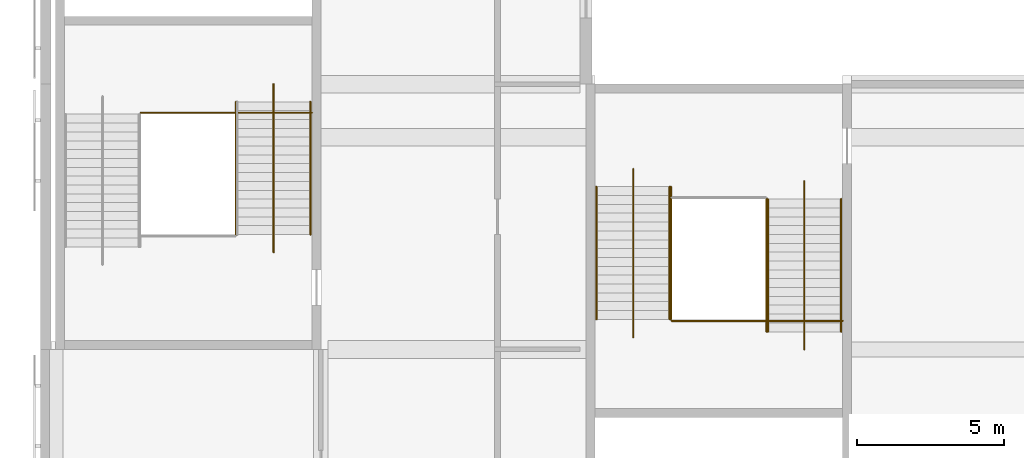
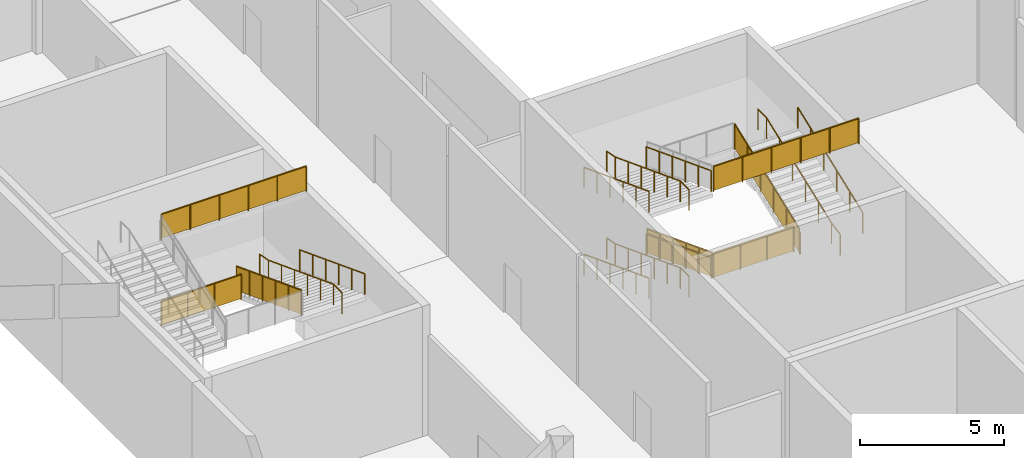
# One storey, part 64 of 84: 18 railings.
"""IFC4 building model written with IfcOpenShell, lengths in metres."""

from ifc_helpers import new_model, si_unit, direction, frame, origin, origin_2d, place, context, subcontext, project, spatial, polyline, circle, outline, extrude, material, type_object, element, save


model = new_model("IFC4")

# Units and contexts
model_context = context("Model", 3, precision=1e-05, world=origin(), true_north=direction((0.0, 1.0)))
body_context = subcontext(model_context, "Body", "Model", "MODEL_VIEW")
ifc_project = project(units=[si_unit("LENGTHUNIT", "METRE"), si_unit("AREAUNIT", "SQUARE_METRE"), si_unit("VOLUMEUNIT", "CUBIC_METRE"), si_unit("PLANEANGLEUNIT", "RADIAN"), si_unit("MASSUNIT", "GRAM", prefix="KILO")], contexts=[model_context])

# Site, building, storey
site_placement = place(None, origin())
site = spatial("IfcSite", under=ifc_project, at=site_placement, CompositionType="ELEMENT")
building_placement = place(site_placement, origin())
building = spatial("IfcBuilding", under=site, at=building_placement, Name="Silverbay Arena", CompositionType="ELEMENT")
storey_placement = place(building_placement, frame((0.0, 0.0, 28.0)))
storey = spatial("IfcBuildingStorey", under=building, at=storey_placement, Name="L04", CompositionType="ELEMENT", Elevation=28.0)

# Railings
ifc_material_1 = material(Name="Stainless steel", Category="steel")
railing_type_1 = type_object("IfcRailingType", Name="Stair guard 1100", PredefinedType="GUARDRAIL", material=ifc_material_1)
railing_1_placement = place(storey_placement, frame((60.125, 62.39990234375, 1.947998046875)))
element("IfcRailing", 1, at=railing_1_placement, inside=storey, type_object=railing_type_1, Name="Stair ST-W1 L04 to L05 flight 2 guard right", PredefinedType="GUARDRAIL", context=body_context, shape_type="SweptSolid", body=[
    extrude(circle(Radius=0.02392578125, at=origin_2d()), frame((0.0, 0.0, 1.076171875), z_axis=(0.0, -0.93417907455, 0.356804507641), x_axis=(1.0, 0.0, 0.0)), (0.0, 0.0, 1.0), 4.817138671875),
    extrude(outline(polyline([(-0.008056640625, 0.046875), (0.907958984375, 0.396728515625), (0.907958984375, 1.39990234375), (-0.008056640625, 1.050048828125), (-0.008056640625, 0.046875)])), frame((0.0029296875, 0.0, 0.0), z_axis=(-1.0, 0.0, 0.0), x_axis=(0.0, -1.0, 0.0)), (0.0, 0.0, 1.0), 0.006103515625),
    extrude(outline(polyline([(-0.008056640625, 0.390625), (0.907958984375, 0.740478515625), (0.907958984375, 1.74365234375), (-0.008056640625, 1.393798828125), (-0.008056640625, 0.390625)])), frame((0.0029296875, -0.89990234375, 0.0), z_axis=(-1.0, 0.0, 0.0), x_axis=(0.0, -1.0, 0.0)), (0.0, 0.0, 1.0), 0.006103515625),
    extrude(outline(polyline([(-0.008056640625, 0.734375), (0.907958984375, 1.084228515625), (0.907958984375, 2.08740234375), (-0.008056640625, 1.737548828125), (-0.008056640625, 0.734375)])), frame((0.0029296875, -1.800048828125, 0.0), z_axis=(-1.0, 0.0, 0.0), x_axis=(0.0, -1.0, 0.0)), (0.0, 0.0, 1.0), 0.006103515625),
    extrude(outline(polyline([(-0.008056640625, 1.078125), (0.907958984375, 1.427978515625), (0.907958984375, 2.43115234375), (-0.008056640625, 2.081298828125), (-0.008056640625, 1.078125)])), frame((0.0029296875, -2.699951171875, 0.0), z_axis=(-1.0, 0.0, 0.0), x_axis=(0.0, -1.0, 0.0)), (0.0, 0.0, 1.0), 0.006103515625),
    extrude(outline(polyline([(-0.008056640625, 1.421875), (0.907958984375, 1.771728515625), (0.907958984375, 2.77490234375), (-0.008056640625, 2.425048828125), (-0.008056640625, 1.421875)])), frame((0.0029296875, -3.60009765625, 0.0), z_axis=(-1.0, 0.0, 0.0), x_axis=(0.0, -1.0, 0.0)), (0.0, 0.0, 1.0), 0.006103515625),
    extrude(circle(Radius=0.02099609375, at=origin_2d()), origin(), (0.0, 0.0, 1.0), 1.052001953125),
    extrude(circle(Radius=0.02099609375, at=origin_2d()), frame((0.0, -0.89990234375, 0.34375)), (0.0, 0.0, 1.0), 1.052001953125),
    extrude(circle(Radius=0.02099609375, at=origin_2d()), frame((0.0, -1.800048828125, 0.6875)), (0.0, 0.0, 1.0), 1.052001953125),
    extrude(circle(Radius=0.02099609375, at=origin_2d()), frame((0.0, -2.699951171875, 1.03125)), (0.0, 0.0, 1.0), 1.052001953125),
    extrude(circle(Radius=0.02099609375, at=origin_2d()), frame((0.0, -3.60009765625, 1.375)), (0.0, 0.0, 1.0), 1.052001953125),
    extrude(circle(Radius=0.02099609375, at=origin_2d()), frame((0.0, -4.5, 1.71875)), (0.0, 0.0, 1.0), 1.052001953125),
])
railing_2_placement = place(storey_placement, frame((60.10009765625, 62.029541015625, 1.833251953125)))
element("IfcRailing", 2, at=railing_2_placement, inside=storey, type_object=railing_type_1, Name="Stair ST-W1 L04 to L05 landing 1 guard", PredefinedType="GUARDRAIL", context=body_context, shape_type="SweptSolid", body=[
    extrude(circle(Radius=0.02392578125, at=origin_2d()), frame((0.0, 0.0, 1.076171875), z_axis=(-1.0, 0.0, 0.0), x_axis=(0.0, -1.0, 0.0)), (0.0, 0.0, 1.0), 3.2001953125),
    extrude(outline(polyline([(-0.008056640625, 0.050048828125), (1.07470703125, 0.050048828125), (1.07470703125, 1.052978515625), (-0.008056640625, 1.052978515625), (-0.008056640625, 0.050048828125)])), frame((0.0, -0.0029296875, 0.0), z_axis=(0.0, 1.0, 0.0), x_axis=(-1.0, 0.0, 0.0)), (0.0, 0.0, 1.0), 0.006103515625),
    extrude(outline(polyline([(-0.008056640625, 0.050048828125), (1.07470703125, 0.050048828125), (1.07470703125, 1.052978515625), (-0.008056640625, 1.052978515625), (-0.008056640625, 0.050048828125)])), frame((-1.066650390625, -0.0029296875, 0.0), z_axis=(0.0, 1.0, 0.0), x_axis=(-1.0, 0.0, 0.0)), (0.0, 0.0, 1.0), 0.006103515625),
    extrude(outline(polyline([(-0.008056640625, 0.050048828125), (1.07470703125, 0.050048828125), (1.07470703125, 1.052978515625), (-0.008056640625, 1.052978515625), (-0.008056640625, 0.050048828125)])), frame((-2.133544921875, -0.0029296875, 0.0), z_axis=(0.0, 1.0, 0.0), x_axis=(-1.0, 0.0, 0.0)), (0.0, 0.0, 1.0), 0.006103515625),
    extrude(circle(Radius=0.02099609375, at=origin_2d()), origin(), (0.0, 0.0, 1.0), 1.052001953125),
    extrude(circle(Radius=0.02099609375, at=origin_2d()), frame((-1.066650390625, 0.0, 0.0)), (0.0, 0.0, 1.0), 1.052001953125),
    extrude(circle(Radius=0.02099609375, at=origin_2d()), frame((-2.133544921875, 0.0, 0.0)), (0.0, 0.0, 1.0), 1.052001953125),
    extrude(circle(Radius=0.02099609375, at=origin_2d()), frame((-3.2001953125, 0.0, 0.0)), (0.0, 0.0, 1.0), 1.052001953125),
])
railing_3_placement = place(storey_placement, frame((56.89990234375, 62.029541015625, 5.5)))
element("IfcRailing", 3, at=railing_3_placement, inside=storey, type_object=railing_type_1, Name="Stair ST-W1 L04 to L05 landing 3 guard", PredefinedType="GUARDRAIL", context=body_context, shape_type="SweptSolid", body=[
    extrude(circle(Radius=0.02392578125, at=origin_2d()), frame((0.0, 0.0, 1.076171875), z_axis=(1.0, 0.0, 0.0), x_axis=(0.0, 1.0, 0.0)), (0.0, 0.0, 1.0), 5.800048828125),
    extrude(outline(polyline([(-0.008056640625, 0.050048828125), (1.16796875, 0.050048828125), (1.16796875, 1.052978515625), (-0.008056640625, 1.052978515625), (-0.008056640625, 0.050048828125)])), frame((0.0, 0.0029296875, 0.0), z_axis=(0.0, -1.0, 0.0), x_axis=(1.0, 0.0, 0.0)), (0.0, 0.0, 1.0), 0.006103515625),
    extrude(outline(polyline([(-0.008056640625, 0.050048828125), (1.16796875, 0.050048828125), (1.16796875, 1.052978515625), (-0.008056640625, 1.052978515625), (-0.008056640625, 0.050048828125)])), frame((1.159912109375, 0.0029296875, 0.0), z_axis=(0.0, -1.0, 0.0), x_axis=(1.0, 0.0, 0.0)), (0.0, 0.0, 1.0), 0.006103515625),
    extrude(outline(polyline([(-0.008056640625, 0.050048828125), (1.16796875, 0.050048828125), (1.16796875, 1.052978515625), (-0.008056640625, 1.052978515625), (-0.008056640625, 0.050048828125)])), frame((2.320068359375, 0.0029296875, 0.0), z_axis=(0.0, -1.0, 0.0), x_axis=(1.0, 0.0, 0.0)), (0.0, 0.0, 1.0), 0.006103515625),
    extrude(outline(polyline([(-0.008056640625, 0.050048828125), (1.16796875, 0.050048828125), (1.16796875, 1.052978515625), (-0.008056640625, 1.052978515625), (-0.008056640625, 0.050048828125)])), frame((3.47998046875, 0.0029296875, 0.0), z_axis=(0.0, -1.0, 0.0), x_axis=(1.0, 0.0, 0.0)), (0.0, 0.0, 1.0), 0.006103515625),
    extrude(outline(polyline([(-0.008056640625, 0.050048828125), (1.16796875, 0.050048828125), (1.16796875, 1.052978515625), (-0.008056640625, 1.052978515625), (-0.008056640625, 0.050048828125)])), frame((4.64013671875, 0.0029296875, 0.0), z_axis=(0.0, -1.0, 0.0), x_axis=(1.0, 0.0, 0.0)), (0.0, 0.0, 1.0), 0.006103515625),
    extrude(circle(Radius=0.02099609375, at=origin_2d()), origin(), (0.0, 0.0, 1.0), 1.052001953125),
    extrude(circle(Radius=0.02099609375, at=origin_2d()), frame((1.159912109375, 0.0, 0.0)), (0.0, 0.0, 1.0), 1.052001953125),
    extrude(circle(Radius=0.02099609375, at=origin_2d()), frame((2.320068359375, 0.0, 0.0)), (0.0, 0.0, 1.0), 1.052001953125),
    extrude(circle(Radius=0.02099609375, at=origin_2d()), frame((3.47998046875, 0.0, 0.0)), (0.0, 0.0, 1.0), 1.052001953125),
    extrude(circle(Radius=0.02099609375, at=origin_2d()), frame((4.64013671875, 0.0, 0.0)), (0.0, 0.0, 1.0), 1.052001953125),
    extrude(circle(Radius=0.02099609375, at=origin_2d()), frame((5.800048828125, 0.0, 0.0)), (0.0, 0.0, 1.0), 1.052001953125),
])
railing_4_placement = place(storey_placement, frame((74.875, 59.5205078125, 0.114501953125)))
element("IfcRailing", 4, at=railing_4_placement, inside=storey, type_object=railing_type_1, Name="Stair ST-SW2 L04 to L05 flight 1 guard left", PredefinedType="GUARDRAIL", context=body_context, shape_type="SweptSolid", body=[
    extrude(circle(Radius=0.02392578125, at=origin_2d()), frame((0.0, 0.0, 1.076171875), z_axis=(0.0, -0.93417907455, 0.356804507641), x_axis=(1.0, 0.0, 0.0)), (0.0, 0.0, 1.0), 4.817138671875),
    extrude(outline(polyline([(-0.008056640625, 0.046875), (0.907958984375, 0.396728515625), (0.907958984375, 1.39990234375), (-0.008056640625, 1.050048828125), (-0.008056640625, 0.046875)])), frame((0.0029296875, 0.0, 0.0), z_axis=(-1.0, 0.0, 0.0), x_axis=(0.0, -1.0, 0.0)), (0.0, 0.0, 1.0), 0.006103515625),
    extrude(outline(polyline([(-0.008056640625, 0.390625), (0.907958984375, 0.740478515625), (0.907958984375, 1.74365234375), (-0.008056640625, 1.393798828125), (-0.008056640625, 0.390625)])), frame((0.0029296875, -0.89990234375, 0.0), z_axis=(-1.0, 0.0, 0.0), x_axis=(0.0, -1.0, 0.0)), (0.0, 0.0, 1.0), 0.006103515625),
    extrude(outline(polyline([(-0.008056640625, 0.734375), (0.907958984375, 1.084228515625), (0.907958984375, 2.08740234375), (-0.008056640625, 1.737548828125), (-0.008056640625, 0.734375)])), frame((0.0029296875, -1.800048828125, 0.0), z_axis=(-1.0, 0.0, 0.0), x_axis=(0.0, -1.0, 0.0)), (0.0, 0.0, 1.0), 0.006103515625),
    extrude(outline(polyline([(-0.008056640625, 1.078125), (0.907958984375, 1.427978515625), (0.907958984375, 2.43115234375), (-0.008056640625, 2.081298828125), (-0.008056640625, 1.078125)])), frame((0.0029296875, -2.699951171875, 0.0), z_axis=(-1.0, 0.0, 0.0), x_axis=(0.0, -1.0, 0.0)), (0.0, 0.0, 1.0), 0.006103515625),
    extrude(outline(polyline([(-0.008056640625, 1.421875), (0.907958984375, 1.771728515625), (0.907958984375, 2.77490234375), (-0.008056640625, 2.425048828125), (-0.008056640625, 1.421875)])), frame((0.0029296875, -3.60009765625, 0.0), z_axis=(-1.0, 0.0, 0.0), x_axis=(0.0, -1.0, 0.0)), (0.0, 0.0, 1.0), 0.006103515625),
    extrude(circle(Radius=0.02099609375, at=origin_2d()), origin(), (0.0, 0.0, 1.0), 1.052001953125),
    extrude(circle(Radius=0.02099609375, at=origin_2d()), frame((0.0, -0.89990234375, 0.34375)), (0.0, 0.0, 1.0), 1.052001953125),
    extrude(circle(Radius=0.02099609375, at=origin_2d()), frame((0.0, -1.800048828125, 0.6875)), (0.0, 0.0, 1.0), 1.052001953125),
    extrude(circle(Radius=0.02099609375, at=origin_2d()), frame((0.0, -2.699951171875, 1.03125)), (0.0, 0.0, 1.0), 1.052001953125),
    extrude(circle(Radius=0.02099609375, at=origin_2d()), frame((0.0, -3.60009765625, 1.375)), (0.0, 0.0, 1.0), 1.052001953125),
    extrude(circle(Radius=0.02099609375, at=origin_2d()), frame((0.0, -4.5, 1.71875)), (0.0, 0.0, 1.0), 1.052001953125),
])
railing_5_placement = place(storey_placement, frame((78.125, 54.60009765625, 1.947998046875)))
element("IfcRailing", 5, at=railing_5_placement, inside=storey, type_object=railing_type_1, Name="Stair ST-SW2 L04 to L05 flight 2 guard right", PredefinedType="GUARDRAIL", context=body_context, shape_type="SweptSolid", body=[
    extrude(circle(Radius=0.02392578125, at=origin_2d()), frame((0.0, 0.0, 1.076171875), z_axis=(0.0, 0.93417907455, 0.356804507641), x_axis=(-1.0, 0.0, 0.0)), (0.0, 0.0, 1.0), 4.817138671875),
    extrude(outline(polyline([(-0.008056640625, 0.046875), (0.907958984375, 0.396728515625), (0.907958984375, 1.39990234375), (-0.008056640625, 1.050048828125), (-0.008056640625, 0.046875)])), frame((-0.0029296875, 0.0, 0.0), z_axis=(1.0, 0.0, 0.0), x_axis=(0.0, 1.0, 0.0)), (0.0, 0.0, 1.0), 0.006103515625),
    extrude(outline(polyline([(-0.008056640625, 0.390625), (0.907958984375, 0.740478515625), (0.907958984375, 1.74365234375), (-0.008056640625, 1.393798828125), (-0.008056640625, 0.390625)])), frame((-0.0029296875, 0.89990234375, 0.0), z_axis=(1.0, 0.0, 0.0), x_axis=(0.0, 1.0, 0.0)), (0.0, 0.0, 1.0), 0.006103515625),
    extrude(outline(polyline([(-0.008056640625, 0.734375), (0.907958984375, 1.084228515625), (0.907958984375, 2.08740234375), (-0.008056640625, 1.737548828125), (-0.008056640625, 0.734375)])), frame((-0.0029296875, 1.800048828125, 0.0), z_axis=(1.0, 0.0, 0.0), x_axis=(0.0, 1.0, 0.0)), (0.0, 0.0, 1.0), 0.006103515625),
    extrude(outline(polyline([(-0.008056640625, 1.078125), (0.907958984375, 1.427978515625), (0.907958984375, 2.43115234375), (-0.008056640625, 2.081298828125), (-0.008056640625, 1.078125)])), frame((-0.0029296875, 2.699951171875, 0.0), z_axis=(1.0, 0.0, 0.0), x_axis=(0.0, 1.0, 0.0)), (0.0, 0.0, 1.0), 0.006103515625),
    extrude(outline(polyline([(-0.008056640625, 1.421875), (0.907958984375, 1.771728515625), (0.907958984375, 2.77490234375), (-0.008056640625, 2.425048828125), (-0.008056640625, 1.421875)])), frame((-0.0029296875, 3.60009765625, 0.0), z_axis=(1.0, 0.0, 0.0), x_axis=(0.0, 1.0, 0.0)), (0.0, 0.0, 1.0), 0.006103515625),
    extrude(circle(Radius=0.02099609375, at=origin_2d()), origin(), (0.0, 0.0, 1.0), 1.052001953125),
    extrude(circle(Radius=0.02099609375, at=origin_2d()), frame((0.0, 0.89990234375, 0.34375)), (0.0, 0.0, 1.0), 1.052001953125),
    extrude(circle(Radius=0.02099609375, at=origin_2d()), frame((0.0, 1.800048828125, 0.6875)), (0.0, 0.0, 1.0), 1.052001953125),
    extrude(circle(Radius=0.02099609375, at=origin_2d()), frame((0.0, 2.699951171875, 1.03125)), (0.0, 0.0, 1.0), 1.052001953125),
    extrude(circle(Radius=0.02099609375, at=origin_2d()), frame((0.0, 3.60009765625, 1.375)), (0.0, 0.0, 1.0), 1.052001953125),
    extrude(circle(Radius=0.02099609375, at=origin_2d()), frame((0.0, 4.5, 1.71875)), (0.0, 0.0, 1.0), 1.052001953125),
])
railing_6_placement = place(storey_placement, frame((78.10009765625, 54.970458984375, 1.833251953125)))
element("IfcRailing", 6, at=railing_6_placement, inside=storey, type_object=railing_type_1, Name="Stair ST-SW2 L04 to L05 landing 1 guard", PredefinedType="GUARDRAIL", context=body_context, shape_type="SweptSolid", body=[
    extrude(circle(Radius=0.02392578125, at=origin_2d()), frame((0.0, 0.0, 1.076171875), z_axis=(-1.0, 0.0, 0.0), x_axis=(0.0, -1.0, 0.0)), (0.0, 0.0, 1.0), 3.2001953125),
    extrude(outline(polyline([(-0.008056640625, 0.050048828125), (1.07470703125, 0.050048828125), (1.07470703125, 1.052978515625), (-0.008056640625, 1.052978515625), (-0.008056640625, 0.050048828125)])), frame((0.0, -0.0029296875, 0.0), z_axis=(0.0, 1.0, 0.0), x_axis=(-1.0, 0.0, 0.0)), (0.0, 0.0, 1.0), 0.006103515625),
    extrude(outline(polyline([(-0.008056640625, 0.050048828125), (1.07470703125, 0.050048828125), (1.07470703125, 1.052978515625), (-0.008056640625, 1.052978515625), (-0.008056640625, 0.050048828125)])), frame((-1.066650390625, -0.0029296875, 0.0), z_axis=(0.0, 1.0, 0.0), x_axis=(-1.0, 0.0, 0.0)), (0.0, 0.0, 1.0), 0.006103515625),
    extrude(outline(polyline([(-0.008056640625, 0.050048828125), (1.07470703125, 0.050048828125), (1.07470703125, 1.052978515625), (-0.008056640625, 1.052978515625), (-0.008056640625, 0.050048828125)])), frame((-2.133544921875, -0.0029296875, 0.0), z_axis=(0.0, 1.0, 0.0), x_axis=(-1.0, 0.0, 0.0)), (0.0, 0.0, 1.0), 0.006103515625),
    extrude(circle(Radius=0.02099609375, at=origin_2d()), origin(), (0.0, 0.0, 1.0), 1.052001953125),
    extrude(circle(Radius=0.02099609375, at=origin_2d()), frame((-1.066650390625, 0.0, 0.0)), (0.0, 0.0, 1.0), 1.052001953125),
    extrude(circle(Radius=0.02099609375, at=origin_2d()), frame((-2.133544921875, 0.0, 0.0)), (0.0, 0.0, 1.0), 1.052001953125),
    extrude(circle(Radius=0.02099609375, at=origin_2d()), frame((-3.2001953125, 0.0, 0.0)), (0.0, 0.0, 1.0), 1.052001953125),
])
railing_7_placement = place(storey_placement, frame((74.89990234375, 54.970458984375, 5.5)))
element("IfcRailing", 7, at=railing_7_placement, inside=storey, type_object=railing_type_1, Name="Stair ST-SW2 L04 to L05 landing 3 guard", PredefinedType="GUARDRAIL", context=body_context, shape_type="SweptSolid", body=[
    extrude(circle(Radius=0.02392578125, at=origin_2d()), frame((0.0, 0.0, 1.076171875), z_axis=(1.0, 0.0, 0.0), x_axis=(0.0, 1.0, 0.0)), (0.0, 0.0, 1.0), 5.800048828125),
    extrude(outline(polyline([(-0.008056640625, 0.050048828125), (1.16796875, 0.050048828125), (1.16796875, 1.052978515625), (-0.008056640625, 1.052978515625), (-0.008056640625, 0.050048828125)])), frame((0.0, 0.0029296875, 0.0), z_axis=(0.0, -1.0, 0.0), x_axis=(1.0, 0.0, 0.0)), (0.0, 0.0, 1.0), 0.006103515625),
    extrude(outline(polyline([(-0.008056640625, 0.050048828125), (1.16796875, 0.050048828125), (1.16796875, 1.052978515625), (-0.008056640625, 1.052978515625), (-0.008056640625, 0.050048828125)])), frame((1.159912109375, 0.0029296875, 0.0), z_axis=(0.0, -1.0, 0.0), x_axis=(1.0, 0.0, 0.0)), (0.0, 0.0, 1.0), 0.006103515625),
    extrude(outline(polyline([(-0.008056640625, 0.050048828125), (1.16796875, 0.050048828125), (1.16796875, 1.052978515625), (-0.008056640625, 1.052978515625), (-0.008056640625, 0.050048828125)])), frame((2.320068359375, 0.0029296875, 0.0), z_axis=(0.0, -1.0, 0.0), x_axis=(1.0, 0.0, 0.0)), (0.0, 0.0, 1.0), 0.006103515625),
    extrude(outline(polyline([(-0.008056640625, 0.050048828125), (1.16796875, 0.050048828125), (1.16796875, 1.052978515625), (-0.008056640625, 1.052978515625), (-0.008056640625, 0.050048828125)])), frame((3.47998046875, 0.0029296875, 0.0), z_axis=(0.0, -1.0, 0.0), x_axis=(1.0, 0.0, 0.0)), (0.0, 0.0, 1.0), 0.006103515625),
    extrude(outline(polyline([(-0.008056640625, 0.050048828125), (1.16796875, 0.050048828125), (1.16796875, 1.052978515625), (-0.008056640625, 1.052978515625), (-0.008056640625, 0.050048828125)])), frame((4.64013671875, 0.0029296875, 0.0), z_axis=(0.0, -1.0, 0.0), x_axis=(1.0, 0.0, 0.0)), (0.0, 0.0, 1.0), 0.006103515625),
    extrude(circle(Radius=0.02099609375, at=origin_2d()), origin(), (0.0, 0.0, 1.0), 1.052001953125),
    extrude(circle(Radius=0.02099609375, at=origin_2d()), frame((1.159912109375, 0.0, 0.0)), (0.0, 0.0, 1.0), 1.052001953125),
    extrude(circle(Radius=0.02099609375, at=origin_2d()), frame((2.320068359375, 0.0, 0.0)), (0.0, 0.0, 1.0), 1.052001953125),
    extrude(circle(Radius=0.02099609375, at=origin_2d()), frame((3.47998046875, 0.0, 0.0)), (0.0, 0.0, 1.0), 1.052001953125),
    extrude(circle(Radius=0.02099609375, at=origin_2d()), frame((4.64013671875, 0.0, 0.0)), (0.0, 0.0, 1.0), 1.052001953125),
    extrude(circle(Radius=0.02099609375, at=origin_2d()), frame((5.800048828125, 0.0, 0.0)), (0.0, 0.0, 1.0), 1.052001953125),
])
ifc_material_2 = material(Name="Stainless steel", Category="steel")
railing_type_2 = type_object("IfcRailingType", Name="Stair handrail 900", PredefinedType="HANDRAIL", material=ifc_material_2)
railing_8_placement = place(storey_placement, frame((62.64990234375, 62.39990234375, 1.947998046875)))
element("IfcRailing", 8, at=railing_8_placement, inside=storey, type_object=railing_type_2, Name="Stair ST-W1 L04 to L05 flight 2 handrail left", PredefinedType="HANDRAIL", context=body_context, shape_type="SweptSolid", body=[
    extrude(circle(Radius=0.02392578125, at=origin_2d()), frame((0.0, 0.0, 0.8759765625), z_axis=(0.0, -0.93417907455, 0.356804507641), x_axis=(1.0, 0.0, 0.0)), (0.0, 0.0, 1.0), 4.817138671875),
    extrude(circle(Radius=0.02099609375, at=origin_2d()), origin(), (0.0, 0.0, 1.0), 0.851806640625),
    extrude(circle(Radius=0.02099609375, at=origin_2d()), frame((0.0, -0.89990234375, 0.34375)), (0.0, 0.0, 1.0), 0.851806640625),
    extrude(circle(Radius=0.02099609375, at=origin_2d()), frame((0.0, -1.800048828125, 0.6875)), (0.0, 0.0, 1.0), 0.851806640625),
    extrude(circle(Radius=0.02099609375, at=origin_2d()), frame((0.0, -2.699951171875, 1.03125)), (0.0, 0.0, 1.0), 0.851806640625),
    extrude(circle(Radius=0.02099609375, at=origin_2d()), frame((0.0, -3.60009765625, 1.375)), (0.0, 0.0, 1.0), 0.851806640625),
    extrude(circle(Radius=0.02099609375, at=origin_2d()), frame((0.0, -4.5, 1.71875)), (0.0, 0.0, 1.0), 0.851806640625),
])
railing_9_placement = place(storey_placement, frame((61.39990234375, 63.0, 1.833251953125)))
element("IfcRailing", 9, at=railing_9_placement, inside=storey, type_object=railing_type_2, Name="Stair ST-W1 L04 to L05 flight 2 central handrail", PredefinedType="HANDRAIL", context=body_context, shape_type="SweptSolid", body=[
    extrude(circle(Radius=0.02392578125, at=origin_2d()), frame((0.0, 0.0, 0.8759765625), z_axis=(0.0, -0.982205411617, 0.1878098224), x_axis=(1.0, 0.0, 0.0)), (0.0, 0.0, 1.0), 0.611083984375),
    extrude(circle(Radius=0.02392578125, at=origin_2d()), frame((0.0, -0.60009765625, 0.99072265625), z_axis=(0.0, -0.93417907455, 0.356804507641), x_axis=(1.0, 0.0, 0.0)), (0.0, 0.0, 1.0), 4.817138671875),
    extrude(circle(Radius=0.02392578125, at=origin_2d()), frame((0.0, -5.10009765625, 2.70947265625), z_axis=(0.0, -1.0, 0.0), x_axis=(1.0, 0.0, 0.0)), (0.0, 0.0, 1.0), 0.599853515625),
    extrude(circle(Radius=0.02099609375, at=origin_2d()), origin(), (0.0, 0.0, 1.0), 0.851806640625),
    extrude(circle(Radius=0.02099609375, at=origin_2d()), frame((0.0, -0.60009765625, 0.11474609375)), (0.0, 0.0, 1.0), 0.851806640625),
    extrude(circle(Radius=0.02099609375, at=origin_2d()), frame((0.0, -1.5, 0.45849609375)), (0.0, 0.0, 1.0), 0.851806640625),
    extrude(circle(Radius=0.02099609375, at=origin_2d()), frame((0.0, -2.400146484375, 0.80224609375)), (0.0, 0.0, 1.0), 0.851806640625),
    extrude(circle(Radius=0.02099609375, at=origin_2d()), frame((0.0, -3.300048828125, 1.14599609375)), (0.0, 0.0, 1.0), 0.851806640625),
    extrude(circle(Radius=0.02099609375, at=origin_2d()), frame((0.0, -4.2001953125, 1.48974609375)), (0.0, 0.0, 1.0), 0.851806640625),
    extrude(circle(Radius=0.02099609375, at=origin_2d()), frame((0.0, -5.10009765625, 1.83349609375)), (0.0, 0.0, 1.0), 0.851806640625),
    extrude(circle(Radius=0.02099609375, at=origin_2d()), frame((0.0, -5.699951171875, 1.83349609375)), (0.0, 0.0, 1.0), 0.851806640625),
])
for number, where, name in (
    (10, (74.8359375, 59.5205078125, 0.114501953125), "Stair ST-SW2 L04 to L05 flight 1 handrail left"),
    (11, (72.35009765625, 59.5205078125, 0.114501953125), "Stair ST-SW2 L04 to L05 flight 1 handrail right"),
):
    element("IfcRailing", number, at=place(storey_placement, frame(where)), inside=storey, type_object=railing_type_2, Name=name, PredefinedType="HANDRAIL", context=body_context, shape_type="SweptSolid", body=[
        extrude(circle(Radius=0.02392578125, at=origin_2d()), frame((0.0, 0.0, 0.8759765625), z_axis=(0.0, -0.93417907455, 0.356804507641), x_axis=(1.0, 0.0, 0.0)), (0.0, 0.0, 1.0), 4.817138671875),
        extrude(circle(Radius=0.02099609375, at=origin_2d()), origin(), (0.0, 0.0, 1.0), 0.851806640625),
        extrude(circle(Radius=0.02099609375, at=origin_2d()), frame((0.0, -0.89990234375, 0.34375)), (0.0, 0.0, 1.0), 0.851806640625),
        extrude(circle(Radius=0.02099609375, at=origin_2d()), frame((0.0, -1.800048828125, 0.6875)), (0.0, 0.0, 1.0), 0.851806640625),
        extrude(circle(Radius=0.02099609375, at=origin_2d()), frame((0.0, -2.699951171875, 1.03125)), (0.0, 0.0, 1.0), 0.851806640625),
        extrude(circle(Radius=0.02099609375, at=origin_2d()), frame((0.0, -3.60009765625, 1.375)), (0.0, 0.0, 1.0), 0.851806640625),
        extrude(circle(Radius=0.02099609375, at=origin_2d()), frame((0.0, -4.5, 1.71875)), (0.0, 0.0, 1.0), 0.851806640625),
    ])
railing_10_placement = place(storey_placement, frame((73.60009765625, 60.120361328125, 0.0)))
element("IfcRailing", 12, at=railing_10_placement, inside=storey, type_object=railing_type_2, Name="Stair ST-SW2 L04 to L05 flight 1 central handrail", PredefinedType="HANDRAIL", context=body_context, shape_type="SweptSolid", body=[
    extrude(circle(Radius=0.02392578125, at=origin_2d()), frame((0.0, 0.0, 0.8759765625), z_axis=(0.0, -0.982265007716, 0.187497878966), x_axis=(1.0, 0.0, 0.0)), (0.0, 0.0, 1.0), 0.610595703125),
    extrude(circle(Radius=0.02392578125, at=origin_2d()), frame((0.0, -0.599853515625, 0.990234375), z_axis=(0.0, -0.93417907455, 0.356804507641), x_axis=(1.0, 0.0, 0.0)), (0.0, 0.0, 1.0), 4.817138671875),
    extrude(circle(Radius=0.02392578125, at=origin_2d()), frame((0.0, -5.099853515625, 2.708984375), z_axis=(0.0, -1.0, 0.0), x_axis=(1.0, 0.0, 0.0)), (0.0, 0.0, 1.0), 0.60009765625),
    extrude(circle(Radius=0.02099609375, at=origin_2d()), origin(), (0.0, 0.0, 1.0), 0.851806640625),
    extrude(circle(Radius=0.02099609375, at=origin_2d()), frame((0.0, -0.599853515625, 0.114501953125)), (0.0, 0.0, 1.0), 0.851806640625),
    extrude(circle(Radius=0.02099609375, at=origin_2d()), frame((0.0, -1.499755859375, 0.458251953125)), (0.0, 0.0, 1.0), 0.851806640625),
    extrude(circle(Radius=0.02099609375, at=origin_2d()), frame((0.0, -2.39990234375, 0.802001953125)), (0.0, 0.0, 1.0), 0.851806640625),
    extrude(circle(Radius=0.02099609375, at=origin_2d()), frame((0.0, -3.2998046875, 1.145751953125)), (0.0, 0.0, 1.0), 0.851806640625),
    extrude(circle(Radius=0.02099609375, at=origin_2d()), frame((0.0, -4.199951171875, 1.489501953125)), (0.0, 0.0, 1.0), 0.851806640625),
    extrude(circle(Radius=0.02099609375, at=origin_2d()), frame((0.0, -5.099853515625, 1.833251953125)), (0.0, 0.0, 1.0), 0.851806640625),
    extrude(circle(Radius=0.02099609375, at=origin_2d()), frame((0.0, -5.699951171875, 1.833251953125)), (0.0, 0.0, 1.0), 0.851806640625),
])
for number, where, name in (
    (13, (80.64990234375, 54.60009765625, 1.947998046875), "Stair ST-SW2 L04 to L05 flight 2 handrail left"),
    (14, (78.1640625, 54.60009765625, 1.947998046875), "Stair ST-SW2 L04 to L05 flight 2 handrail right"),
):
    element("IfcRailing", number, at=place(storey_placement, frame(where)), inside=storey, type_object=railing_type_2, Name=name, PredefinedType="HANDRAIL", context=body_context, shape_type="SweptSolid", body=[
        extrude(circle(Radius=0.02392578125, at=origin_2d()), frame((0.0, 0.0, 0.8759765625), z_axis=(0.0, 0.93417907455, 0.356804507641), x_axis=(-1.0, 0.0, 0.0)), (0.0, 0.0, 1.0), 4.817138671875),
        extrude(circle(Radius=0.02099609375, at=origin_2d()), origin(), (0.0, 0.0, 1.0), 0.851806640625),
        extrude(circle(Radius=0.02099609375, at=origin_2d()), frame((0.0, 0.89990234375, 0.34375)), (0.0, 0.0, 1.0), 0.851806640625),
        extrude(circle(Radius=0.02099609375, at=origin_2d()), frame((0.0, 1.800048828125, 0.6875)), (0.0, 0.0, 1.0), 0.851806640625),
        extrude(circle(Radius=0.02099609375, at=origin_2d()), frame((0.0, 2.699951171875, 1.03125)), (0.0, 0.0, 1.0), 0.851806640625),
        extrude(circle(Radius=0.02099609375, at=origin_2d()), frame((0.0, 3.60009765625, 1.375)), (0.0, 0.0, 1.0), 0.851806640625),
        extrude(circle(Radius=0.02099609375, at=origin_2d()), frame((0.0, 4.5, 1.71875)), (0.0, 0.0, 1.0), 0.851806640625),
    ])
railing_11_placement = place(storey_placement, frame((79.39990234375, 54.0, 1.833251953125)))
element("IfcRailing", 15, at=railing_11_placement, inside=storey, type_object=railing_type_2, Name="Stair ST-SW2 L04 to L05 flight 2 central handrail", PredefinedType="HANDRAIL", context=body_context, shape_type="SweptSolid", body=[
    extrude(circle(Radius=0.02392578125, at=origin_2d()), frame((0.0, 0.0, 0.8759765625), z_axis=(0.0, 0.982205411617, 0.1878098224), x_axis=(-1.0, 0.0, 0.0)), (0.0, 0.0, 1.0), 0.611083984375),
    extrude(circle(Radius=0.02392578125, at=origin_2d()), frame((0.0, 0.60009765625, 0.99072265625), z_axis=(0.0, 0.93417907455, 0.356804507641), x_axis=(-1.0, 0.0, 0.0)), (0.0, 0.0, 1.0), 4.817138671875),
    extrude(circle(Radius=0.02392578125, at=origin_2d()), frame((0.0, 5.10009765625, 2.70947265625), z_axis=(0.0, 1.0, 0.0), x_axis=(-1.0, 0.0, 0.0)), (0.0, 0.0, 1.0), 0.599853515625),
    extrude(circle(Radius=0.02099609375, at=origin_2d()), origin(), (0.0, 0.0, 1.0), 0.851806640625),
    extrude(circle(Radius=0.02099609375, at=origin_2d()), frame((0.0, 0.60009765625, 0.11474609375)), (0.0, 0.0, 1.0), 0.851806640625),
    extrude(circle(Radius=0.02099609375, at=origin_2d()), frame((0.0, 1.5, 0.45849609375)), (0.0, 0.0, 1.0), 0.851806640625),
    extrude(circle(Radius=0.02099609375, at=origin_2d()), frame((0.0, 2.400146484375, 0.80224609375)), (0.0, 0.0, 1.0), 0.851806640625),
    extrude(circle(Radius=0.02099609375, at=origin_2d()), frame((0.0, 3.300048828125, 1.14599609375)), (0.0, 0.0, 1.0), 0.851806640625),
    extrude(circle(Radius=0.02099609375, at=origin_2d()), frame((0.0, 4.2001953125, 1.48974609375)), (0.0, 0.0, 1.0), 0.851806640625),
    extrude(circle(Radius=0.02099609375, at=origin_2d()), frame((0.0, 5.10009765625, 1.83349609375)), (0.0, 0.0, 1.0), 0.851806640625),
    extrude(circle(Radius=0.02099609375, at=origin_2d()), frame((0.0, 5.699951171875, 1.83349609375)), (0.0, 0.0, 1.0), 0.851806640625),
])
for number, where, name in (
    (16, (74.8359375, 59.5205078125, 3.78125), "Stair ST-SW2 L04 to L05 flight 3 handrail left"),
    (17, (72.35009765625, 59.5205078125, 3.78125), "Stair ST-SW2 L04 to L05 flight 3 handrail right"),
):
    element("IfcRailing", number, at=place(storey_placement, frame(where)), inside=storey, type_object=railing_type_2, Name=name, PredefinedType="HANDRAIL", context=body_context, shape_type="SweptSolid", body=[
        extrude(circle(Radius=0.02392578125, at=origin_2d()), frame((0.0, 0.0, 0.8759765625), z_axis=(0.0, -0.93417907455, 0.356804507641), x_axis=(1.0, 0.0, 0.0)), (0.0, 0.0, 1.0), 4.817138671875),
        extrude(circle(Radius=0.02099609375, at=origin_2d()), origin(), (0.0, 0.0, 1.0), 0.851806640625),
        extrude(circle(Radius=0.02099609375, at=origin_2d()), frame((0.0, -0.89990234375, 0.34375)), (0.0, 0.0, 1.0), 0.851806640625),
        extrude(circle(Radius=0.02099609375, at=origin_2d()), frame((0.0, -1.800048828125, 0.6875)), (0.0, 0.0, 1.0), 0.851806640625),
        extrude(circle(Radius=0.02099609375, at=origin_2d()), frame((0.0, -2.699951171875, 1.03125)), (0.0, 0.0, 1.0), 0.851806640625),
        extrude(circle(Radius=0.02099609375, at=origin_2d()), frame((0.0, -3.60009765625, 1.375)), (0.0, 0.0, 1.0), 0.851806640625),
        extrude(circle(Radius=0.02099609375, at=origin_2d()), frame((0.0, -4.5, 1.71875)), (0.0, 0.0, 1.0), 0.851806640625),
    ])
railing_12_placement = place(storey_placement, frame((73.60009765625, 60.120361328125, 3.666748046875)))
element("IfcRailing", 18, at=railing_12_placement, inside=storey, type_object=railing_type_2, Name="Stair ST-SW2 L04 to L05 flight 3 central handrail", PredefinedType="HANDRAIL", context=body_context, shape_type="SweptSolid", body=[
    extrude(circle(Radius=0.02392578125, at=origin_2d()), frame((0.0, 0.0, 0.8759765625), z_axis=(0.0, -0.982265007716, 0.187497878966), x_axis=(1.0, 0.0, 0.0)), (0.0, 0.0, 1.0), 0.610595703125),
    extrude(circle(Radius=0.02392578125, at=origin_2d()), frame((0.0, -0.599853515625, 0.990234375), z_axis=(0.0, -0.93417907455, 0.356804507641), x_axis=(1.0, 0.0, 0.0)), (0.0, 0.0, 1.0), 4.817138671875),
    extrude(circle(Radius=0.02392578125, at=origin_2d()), frame((0.0, -5.099853515625, 2.708984375), z_axis=(0.0, -1.0, 0.0), x_axis=(1.0, 0.0, 0.0)), (0.0, 0.0, 1.0), 0.60009765625),
    extrude(circle(Radius=0.02099609375, at=origin_2d()), origin(), (0.0, 0.0, 1.0), 0.851806640625),
    extrude(circle(Radius=0.02099609375, at=origin_2d()), frame((0.0, -0.599853515625, 0.114501953125)), (0.0, 0.0, 1.0), 0.851806640625),
    extrude(circle(Radius=0.02099609375, at=origin_2d()), frame((0.0, -1.499755859375, 0.458251953125)), (0.0, 0.0, 1.0), 0.851806640625),
    extrude(circle(Radius=0.02099609375, at=origin_2d()), frame((0.0, -2.39990234375, 0.802001953125)), (0.0, 0.0, 1.0), 0.851806640625),
    extrude(circle(Radius=0.02099609375, at=origin_2d()), frame((0.0, -3.2998046875, 1.145751953125)), (0.0, 0.0, 1.0), 0.851806640625),
    extrude(circle(Radius=0.02099609375, at=origin_2d()), frame((0.0, -4.199951171875, 1.489501953125)), (0.0, 0.0, 1.0), 0.851806640625),
    extrude(circle(Radius=0.02099609375, at=origin_2d()), frame((0.0, -5.099853515625, 1.833251953125)), (0.0, 0.0, 1.0), 0.851806640625),
    extrude(circle(Radius=0.02099609375, at=origin_2d()), frame((0.0, -5.699951171875, 1.833251953125)), (0.0, 0.0, 1.0), 0.851806640625),
])

save(model, "model.ifc")
